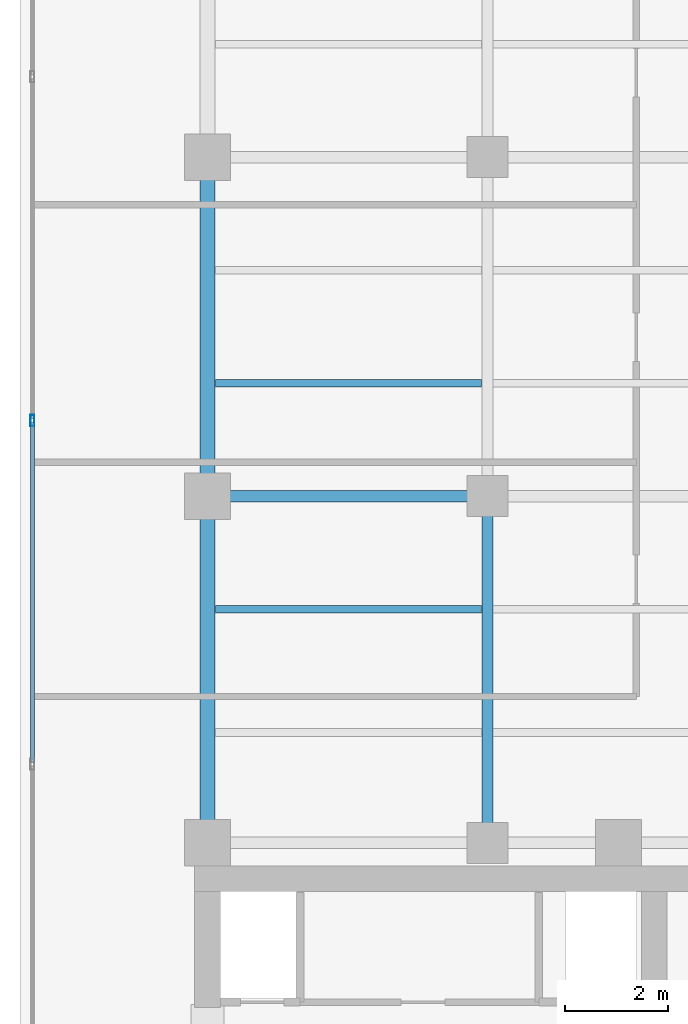
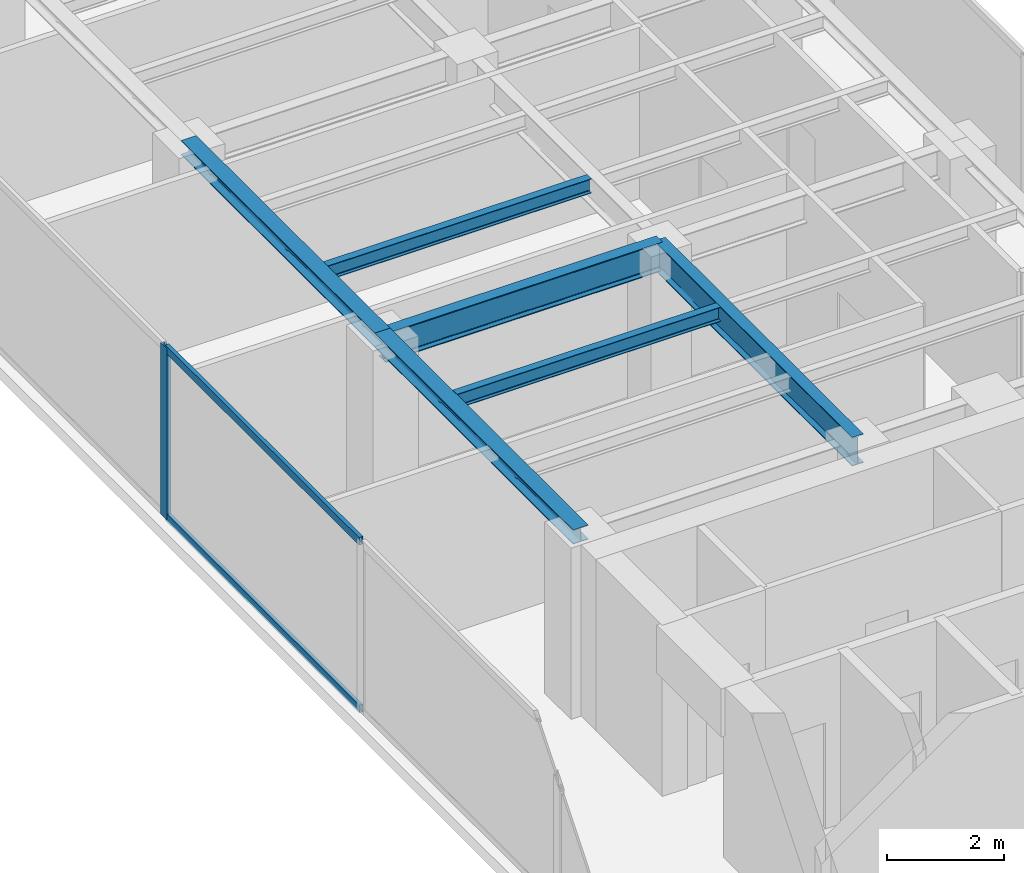
# One storey, part 8 of 22: 6 beams, 3 members, 1 element without a shape of its own.
"""IFC4 building model written with IfcOpenShell, lengths in metres."""

from ifc_helpers import new_model, si_unit, direction, frame, origin, origin_with_axes, origin_2d, place, context, subcontext, project, spatial, hollow_rectangle, i_section, extrude, source, transform, mapped, material, layer, layer_set, material_profile, profile_set, type_object, element, aggregate, save


model = new_model("IFC4")

# Units and contexts
model_context = context("Model", 3, precision=1e-05, world=origin(), true_north=direction((0.0, 1.0)))
body_context = subcontext(model_context, "Body", "Model", "MODEL_VIEW")
ifc_project = project(units=[si_unit("LENGTHUNIT", "METRE"), si_unit("AREAUNIT", "SQUARE_METRE"), si_unit("VOLUMEUNIT", "CUBIC_METRE"), si_unit("PLANEANGLEUNIT", "RADIAN"), si_unit("MASSUNIT", "GRAM", prefix="KILO")], contexts=[model_context])

# Site, building, storey
site_placement = place(None, origin())
site = spatial("IfcSite", under=ifc_project, at=site_placement, CompositionType="ELEMENT")
building_placement = place(site_placement, origin())
building = spatial("IfcBuilding", under=site, at=building_placement, Name="Kolvaren Waterfront Exchange", CompositionType="ELEMENT")
storey_placement = place(building_placement, frame((0.0, 0.0, 308.39990234375)))
storey = spatial("IfcBuildingStorey", under=building, at=storey_placement, Name="L79", CompositionType="ELEMENT", Elevation=308.39990234375)

# Beams
ifc_material_1 = material(Name="Steel S355", Category="steel")
ifc_material_profile_1 = material_profile(ifc_material_1, i_section(OverallWidth=0.300048828125, OverallDepth=0.300048828125, WebThickness=0.010986328125, FlangeThickness=0.01904296875, FilletRadius=0.027099609375, at=origin_2d()), Name="HEB300")
ifc_profile_set_1 = profile_set([ifc_material_profile_1], Name="Steel S355")
beam_type_1 = type_object("IfcBeamType", Name="STR-BM-HEB300", PredefinedType="SPANDREL", material=ifc_profile_set_1)
beam_1_placement = place(storey_placement, frame((7.449951171875, 24.449951171875, 3.41015625), z_axis=(0.0, 1.0, 0.0), x_axis=(-1.0, 0.0, 0.0)))
element("IfcBeam", 1, at=beam_1_placement, inside=storey, type_object=beam_type_1, Name="L79 north-arm edge beam 1", PredefinedType="SPANDREL", context=body_context, shape_type="SweptSolid", body=[
    extrude(i_section(OverallWidth=0.300048828125, OverallDepth=0.300048828125, WebThickness=0.010986328125, FlangeThickness=0.01904296875, FilletRadius=0.027099609375, at=origin_2d()), origin(), (0.0, 0.0, 1.0), 6.75),
])
beam_2_placement = place(storey_placement, frame((7.449951171875, 31.199951171875, 3.41015625), z_axis=(0.0, 1.0, 0.0), x_axis=(-1.0, 0.0, 0.0)))
element("IfcBeam", 2, at=beam_2_placement, inside=storey, type_object=beam_type_1, Name="L79 north-arm edge beam 2", PredefinedType="SPANDREL", context=body_context, shape_type="SweptSolid", body=[
    extrude(i_section(OverallWidth=0.300048828125, OverallDepth=0.300048828125, WebThickness=0.010986328125, FlangeThickness=0.01904296875, FilletRadius=0.027099609375, at=origin_2d()), origin(), (0.0, 0.0, 1.0), 6.60009765625),
])
ifc_material_profile_2 = material_profile(ifc_material_1, i_section(OverallWidth=0.14990234375, OverallDepth=0.300048828125, WebThickness=0.007080078125, FlangeThickness=0.0107421875, FilletRadius=0.014892578125, at=origin_2d()), Name="IPE300")
ifc_profile_set_2 = profile_set([ifc_material_profile_2], Name="Steel S355")
beam_type_2 = type_object("IfcBeamType", Name="STR-BM-IPE300", PredefinedType="JOIST", material=ifc_profile_set_2)
for number, where, z_axis, x_axis, name in (
    (3, (7.60205078125, 29.0, 3.41015625), (1.0, 0.0, 0.0), (0.0, 1.0, 0.0), "L79 north-arm composite joist 2A"),
    (4, (7.60205078125, 33.39990234375, 3.41015625), (1.0, 0.0, 0.0), (0.0, 1.0, 0.0), "L79 north-arm composite joist 3A"),
):
    element("IfcBeam", number, at=place(storey_placement, frame(where, z_axis=z_axis, x_axis=x_axis)), inside=storey, type_object=beam_type_2, Name=name, PredefinedType="JOIST", context=body_context, shape_type="SweptSolid", body=[
        extrude(i_section(OverallWidth=0.14990234375, OverallDepth=0.300048828125, WebThickness=0.007080078125, FlangeThickness=0.0107421875, FilletRadius=0.014892578125, at=origin_2d()), origin(), (0.0, 0.0, 1.0), 5.18603515625),
    ])
ifc_material_profile_3 = material_profile(ifc_material_1, i_section(OverallWidth=0.219970703125, OverallDepth=0.60009765625, WebThickness=0.011962890625, FlangeThickness=0.01904296875, FilletRadius=0.02392578125, at=origin_2d()), Name="IPE600")
ifc_profile_set_3 = profile_set([ifc_material_profile_3], Name="Steel S355")
beam_type_3 = type_object("IfcBeamType", Name="STR-BM-IPE600", PredefinedType="BEAM", material=ifc_profile_set_3)
beam_3_placement = place(storey_placement, frame((7.449951171875, 31.199951171875, 3.260009765625), z_axis=(1.0, 0.0, 0.0), x_axis=(0.0, 1.0, 0.0)))
element("IfcBeam", 5, at=beam_3_placement, inside=storey, type_object=beam_type_3, Name="L79 north-arm girder 2A", PredefinedType="BEAM", context=body_context, shape_type="SweptSolid", body=[
    extrude(i_section(OverallWidth=0.219970703125, OverallDepth=0.60009765625, WebThickness=0.011962890625, FlangeThickness=0.01904296875, FilletRadius=0.02392578125, at=origin_2d()), origin(), (0.0, 0.0, 1.0), 5.449951171875),
])
beam_4_placement = place(storey_placement, frame((12.89990234375, 24.449951171875, 3.260009765625), z_axis=(0.0, 1.0, 0.0), x_axis=(-1.0, 0.0, 0.0)))
element("IfcBeam", 6, at=beam_4_placement, inside=storey, type_object=beam_type_3, Name="L79 north-arm edge beam 1", PredefinedType="BEAM", context=body_context, shape_type="SweptSolid", body=[
    extrude(i_section(OverallWidth=0.219970703125, OverallDepth=0.60009765625, WebThickness=0.011962890625, FlangeThickness=0.01904296875, FilletRadius=0.02392578125, at=origin_2d()), origin(), (0.0, 0.0, 1.0), 6.75),
])

# Curtain wall, members
ifc_material_2 = material(Name="Anodised aluminium 6063-T6", Category="aluminium")
ifc_layer = layer(ifc_material_2, 0.219970703125, Name="Anodised aluminium 6063-T6")
ifc_layer_set = layer_set([ifc_layer], Name="Anodised aluminium 6063-T6")
curtain_wall_type = type_object("IfcCurtainWallType", Name="ARC-CW-SYS2", PredefinedType="USERDEFINED", material=ifc_layer_set)
curtain_wall_placement = place(storey_placement, origin())
curtain_wall = element("IfcCurtainWall", 7, at=curtain_wall_placement, inside=storey, type_object=curtain_wall_type, Name="L79 stick curtain wall CW2 (CW-L79-W)", ObjectType="STICK CURTAIN WALL", PredefinedType="USERDEFINED")
ifc_material_profile_4 = material_profile(ifc_material_2, hollow_rectangle(XDim=0.080078125, YDim=0.219970703125, WallThickness=0.0048828125, at=origin_2d()), Name="ALU-MUL-220x80x5")
ifc_profile_set_4 = profile_set([ifc_material_profile_4], Name="Anodised aluminium 6063-T6")
member_type_1 = type_object("IfcMemberType", Name="ARC-CWM-220", PredefinedType="MULLION", material=ifc_profile_set_4)
shared_shape_1 = source(origin_with_axes(), body_context, "Body", "SweptSolid", [
    extrude(hollow_rectangle(XDim=0.080078125, YDim=0.219970703125, WallThickness=0.0048828125, at=origin_2d()), origin(), (0.0, 0.0, 1.0), 3.56005859375),
])
member_1_placement = place(storey_placement, frame((4.0400390625, 32.671875, 0.0), z_axis=(0.0, 0.0, 1.0), x_axis=(-1.0, 0.0, 0.0)))
member_1 = element("IfcMember", 8, at=member_1_placement, type_object=member_type_1, Name="CW2 mullion 5", PredefinedType="MULLION", context=body_context, shape_type="MappedRepresentation", body=[
    mapped(shared_shape_1, transform((0.0, 0.0, 0.0), x_axis=(1.0, 0.0, 0.0), y_axis=(0.0, 1.0, 0.0), z_axis=(0.0, 0.0, 1.0), scale=1.0)),
])
ifc_material_profile_5 = material_profile(ifc_material_2, hollow_rectangle(XDim=0.074951171875, YDim=0.159912109375, WallThickness=0.00439453125, at=origin_2d()), Name="ALU-TRN-160x75x4.5")
ifc_profile_set_5 = profile_set([ifc_material_profile_5], Name="Anodised aluminium 6063-T6")
member_type_2 = type_object("IfcMemberType", Name="ARC-CWT-160", PredefinedType="USERDEFINED", material=ifc_profile_set_5)
shared_shape_2 = source(origin_with_axes(), body_context, "Body", "SweptSolid", [
    extrude(hollow_rectangle(XDim=0.074951171875, YDim=0.159912109375, WallThickness=0.00439453125, at=origin_2d()), origin(), (0.0, 0.0, 1.0), 6.61279296875),
])
member_2_placement = place(storey_placement, frame((4.0400390625, 26.01904296875, 0.03759765625), z_axis=(0.0, 1.0, 0.0), x_axis=(-1.0, 0.0, 0.0)))
member_2 = element("IfcMember", 9, at=member_2_placement, type_object=member_type_2, Name="CW2 transom 4.1", ObjectType="TRANSOM", PredefinedType="USERDEFINED", context=body_context, shape_type="MappedRepresentation", body=[
    mapped(shared_shape_2, transform((0.0, 0.0, 0.0), x_axis=(1.0, 0.0, 0.0), y_axis=(0.0, 1.0, 0.0), z_axis=(0.0, 0.0, 1.0), scale=1.0)),
])
member_3_placement = place(storey_placement, frame((4.0400390625, 26.01904296875, 3.522705078125), z_axis=(0.0, 1.0, 0.0), x_axis=(-1.0, 0.0, 0.0)))
member_3 = element("IfcMember", 10, at=member_3_placement, type_object=member_type_2, Name="CW2 transom 4.2", ObjectType="TRANSOM", PredefinedType="USERDEFINED", context=body_context, shape_type="MappedRepresentation", body=[
    mapped(shared_shape_2, transform((0.0, 0.0, 0.0), x_axis=(1.0, 0.0, 0.0), y_axis=(0.0, 1.0, 0.0), z_axis=(0.0, 0.0, 1.0), scale=1.0)),
])
aggregate(curtain_wall, [member_1, member_2, member_3])

save(model, "model.ifc")
